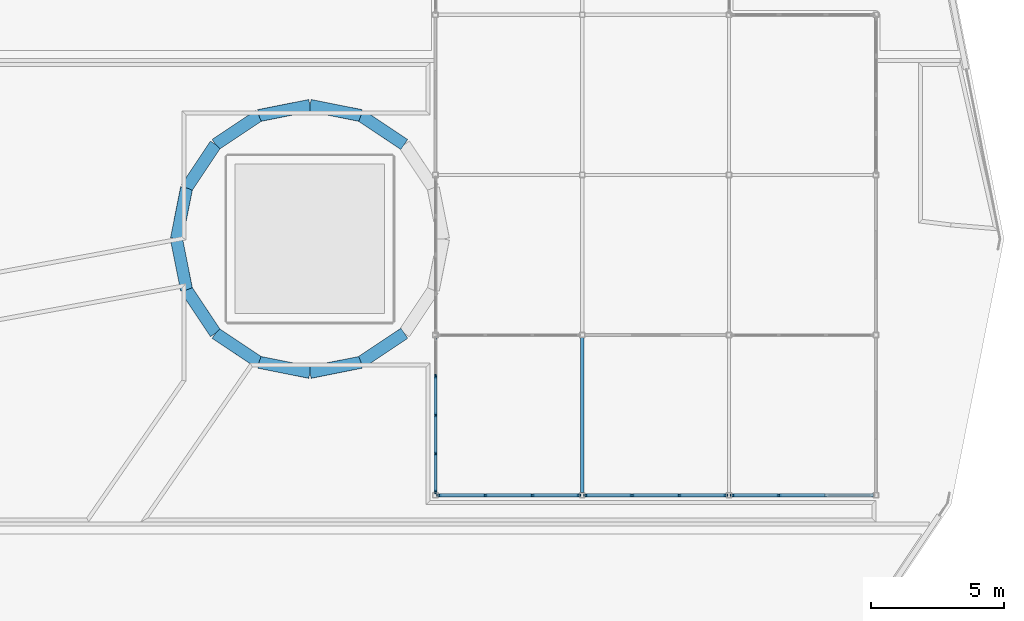
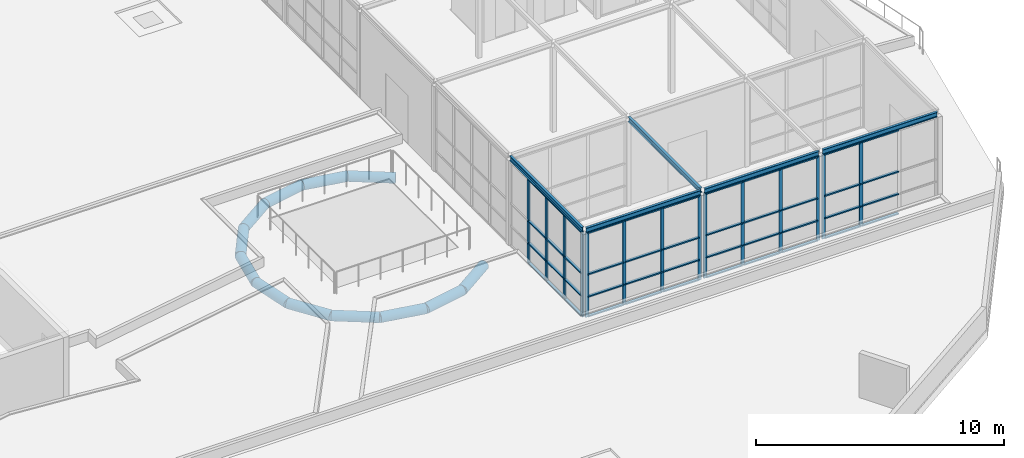
# One storey, part 11 of 40: 70 members, 5 beams, 4 elements without a shape of their own.
"""IFC4 building model written with IfcOpenShell, lengths in metres."""

from ifc_helpers import new_model, si_unit, direction, frame, origin, origin_2d, place, context, subcontext, project, spatial, rectangle, hollow_circle, i_section, extrude, material, material_profile, profile_set, type_object, element, aggregate, save


model = new_model("IFC4")

# Units and contexts
model_context = context("Model", 3, precision=1e-05, world=origin(), true_north=direction((0.0, 1.0)))
body_context = subcontext(model_context, "Body", "Model", "MODEL_VIEW")
ifc_project = project(units=[si_unit("LENGTHUNIT", "METRE"), si_unit("AREAUNIT", "SQUARE_METRE"), si_unit("VOLUMEUNIT", "CUBIC_METRE"), si_unit("PLANEANGLEUNIT", "RADIAN"), si_unit("MASSUNIT", "GRAM", prefix="KILO")], contexts=[model_context])

# Site, building, storey
site_placement = place(None, origin())
site = spatial("IfcSite", under=ifc_project, at=site_placement, CompositionType="ELEMENT")
building_placement = place(site_placement, origin())
building = spatial("IfcBuilding", under=site, at=building_placement, Name="Ceibo Conservatory and Research Tower", CompositionType="ELEMENT")
storey_placement = place(building_placement, frame((0.0, 0.0, 6.0)))
storey = spatial("IfcBuildingStorey", under=building, at=storey_placement, Name="L01", CompositionType="ELEMENT", Elevation=6.0)

# Members
ifc_material_1 = material(Name="Steel ASTM A500 Gr C", Category="steel")
ifc_material_profile_1 = material_profile(ifc_material_1, hollow_circle(Radius=0.228515625, WallThickness=0.01416015625, at=origin_2d()), Name="CHS 457.2x14.27")
ifc_profile_set_1 = profile_set([ifc_material_profile_1], Name="Steel ASTM A500 Gr C")
member_type_1 = type_object("IfcMemberType", Name="CHS 457.2x14.27", PredefinedType="NOTDEFINED", material=ifc_profile_set_1)
for number, where, z_axis, x_axis, name in (
    (1, (171.53564453125, 39.53564453125, -0.6796875), (-0.831530132446, 0.555479647543, 0.0), (-0.555479647543, -0.831530132446, 0.0), "Compression ring VC-CR03"),
    (2, (169.913330078125, 40.619384765625, -0.6796875), (-0.980782316333, 0.19510522281, 0.0), (-0.19510522281, -0.980782316333, 0.0), "Compression ring VC-CR04"),
    (3, (168.0, 41.0, -0.6796875), (-0.980782316333, -0.19510522281, 0.0), (0.19510522281, -0.980782316333, 0.0), "Compression ring VC-CR05"),
    (4, (166.086669921875, 40.619384765625, -0.6796875), (-0.831530132446, -0.555479647543, 0.0), (0.555479647543, -0.831530132446, 0.0), "Compression ring VC-CR06"),
    (5, (164.46435546875, 39.53564453125, -0.6796875), (-0.555479647543, -0.831530132446, 0.0), (0.831530132446, -0.555479647543, 0.0), "Compression ring VC-CR07"),
    (6, (163.380615234375, 37.913330078125, -0.6796875), (-0.19510522281, -0.980782316333, 0.0), (0.980782316333, -0.19510522281, 0.0), "Compression ring VC-CR08"),
    (7, (163.0, 36.0, -0.6796875), (0.19510522281, -0.980782316333, 0.0), (0.980782316333, 0.19510522281, 0.0), "Compression ring VC-CR09"),
    (8, (163.380615234375, 34.086669921875, -0.6796875), (0.555479647543, -0.831530132446, 0.0), (0.831530132446, 0.555479647543, 0.0), "Compression ring VC-CR10"),
    (9, (164.46435546875, 32.46435546875, -0.6796875), (0.831530132446, -0.555479647543, 0.0), (0.555479647543, 0.831530132446, 0.0), "Compression ring VC-CR11"),
    (10, (166.086669921875, 31.380615234375, -0.6796875), (0.980782316333, -0.19510522281, 0.0), (0.19510522281, 0.980782316333, 0.0), "Compression ring VC-CR12"),
    (11, (168.0, 31.0, -0.6796875), (0.980782316333, 0.19510522281, 0.0), (-0.19510522281, 0.980782316333, 0.0), "Compression ring VC-CR13"),
    (12, (169.913330078125, 31.380615234375, -0.6796875), (0.831530132446, 0.555479647543, 0.0), (-0.555479647543, 0.831530132446, 0.0), "Compression ring VC-CR14"),
):
    element("IfcMember", number, at=place(storey_placement, frame(where, z_axis=z_axis, x_axis=x_axis)), inside=storey, type_object=member_type_1, Name=name, PredefinedType="CHORD", context=body_context, shape_type="SweptSolid", body=[
        extrude(hollow_circle(Radius=0.228515625, WallThickness=0.01416015625, at=origin_2d()), origin(), (0.0, 0.0, 1.0), 1.950927734375),
    ])

# Beams
ifc_material_2 = material(Name="Steel S355J2", Category="steel")
ifc_material_profile_2 = material_profile(ifc_material_2, i_section(OverallWidth=0.1201171875, OverallDepth=0.239990234375, WebThickness=0.006103515625, FlangeThickness=0.009765625, at=origin_2d()), Name="IPE 240")
ifc_profile_set_2 = profile_set([ifc_material_profile_2], Name="Steel S355J2")
beam_type = type_object("IfcBeamType", Name="IPE 240 gallery roof beam", PredefinedType="BEAM", material=ifc_profile_set_2)
for number, where, z_axis, x_axis, name in (
    (13, (172.794921875, 26.39990234375, 4.280029296875), (1.0, 0.0, 0.0), (0.0, 1.0, 0.0), "Sky Gallery roof beam VC-SBh00"),
    (14, (178.294921875, 26.39990234375, 4.280029296875), (1.0, 0.0, 0.0), (0.0, 1.0, 0.0), "Sky Gallery roof beam VC-SBh10"),
    (15, (183.794921875, 26.39990234375, 4.280029296875), (1.0, 0.0, 0.0), (0.0, 1.0, 0.0), "Sky Gallery roof beam VC-SBh20"),
):
    element("IfcBeam", number, at=place(storey_placement, frame(where, z_axis=z_axis, x_axis=x_axis)), inside=storey, type_object=beam_type, Name=name, PredefinedType="BEAM", context=body_context, shape_type="SweptSolid", body=[
        extrude(i_section(OverallWidth=0.1201171875, OverallDepth=0.239990234375, WebThickness=0.006103515625, FlangeThickness=0.009765625, at=origin_2d()), origin(), (0.0, 0.0, 1.0), 5.31005859375),
    ])
for number, where, z_axis, x_axis, name in (
    (16, (172.699951171875, 26.4951171875, 4.280029296875), (0.0, 1.0, 0.0), (-1.0, 0.0, 0.0), "Sky Gallery roof beam VC-SBv00"),
    (17, (178.199951171875, 26.4951171875, 4.280029296875), (0.0, 1.0, 0.0), (-1.0, 0.0, 0.0), "Sky Gallery roof beam VC-SBv10"),
):
    element("IfcBeam", number, at=place(storey_placement, frame(where, z_axis=z_axis, x_axis=x_axis)), inside=storey, type_object=beam_type, Name=name, PredefinedType="BEAM", context=body_context, shape_type="SweptSolid", body=[
        extrude(i_section(OverallWidth=0.1201171875, OverallDepth=0.239990234375, WebThickness=0.006103515625, FlangeThickness=0.009765625, at=origin_2d()), origin(), (0.0, 0.0, 1.0), 5.809814453125),
    ])

# Curtain wall, members
ifc_material_3 = material(Name="Aluminium and glass", Category="aluminium")
curtain_wall_type = type_object("IfcCurtainWallType", Name="Sky gallery curtain wall", PredefinedType="NOTDEFINED", material=ifc_material_3)
curtain_wall_1_placement = place(storey_placement, origin())
curtain_wall_1 = element("IfcCurtainWall", 18, at=curtain_wall_1_placement, inside=storey, type_object=curtain_wall_type, Name="Sky Gallery curtain wall h00", PredefinedType="NOTDEFINED")
ifc_material_4 = material(Name="Aluminium", Category="aluminium")
ifc_material_profile_3 = material_profile(ifc_material_4, rectangle(XDim=0.06005859375, YDim=0.159912109375, at=origin_2d()), Name="AL 60x160")
ifc_profile_set_3 = profile_set([ifc_material_profile_3], Name="Aluminium")
member_type_2 = type_object("IfcMemberType", Name="Sky gallery mullion 60x160", PredefinedType="MULLION", material=ifc_profile_set_3)
member_1_placement = place(storey_placement, frame((172.830078125, 26.39990234375, 0.0), z_axis=(0.0, 0.0, 1.0), x_axis=(0.0, 1.0, 0.0)))
member_1 = element("IfcMember", 19, at=member_1_placement, type_object=member_type_2, Name="VC-SWh00 mullion 1", PredefinedType="MULLION", context=body_context, shape_type="SweptSolid", body=[
    extrude(rectangle(XDim=0.06005859375, YDim=0.159912109375, at=origin_2d()), origin(), (0.0, 0.0, 1.0), 4.159912109375),
])
member_2_placement = place(storey_placement, frame((174.566650390625, 26.39990234375, 0.0), z_axis=(0.0, 0.0, 1.0), x_axis=(0.0, 1.0, 0.0)))
member_2 = element("IfcMember", 20, at=member_2_placement, type_object=member_type_2, Name="VC-SWh00 mullion 2", PredefinedType="MULLION", context=body_context, shape_type="SweptSolid", body=[
    extrude(rectangle(XDim=0.06005859375, YDim=0.159912109375, at=origin_2d()), origin(), (0.0, 0.0, 1.0), 4.159912109375),
])
member_3_placement = place(storey_placement, frame((176.333251953125, 26.39990234375, 0.0), z_axis=(0.0, 0.0, 1.0), x_axis=(0.0, 1.0, 0.0)))
member_3 = element("IfcMember", 21, at=member_3_placement, type_object=member_type_2, Name="VC-SWh00 mullion 3", PredefinedType="MULLION", context=body_context, shape_type="SweptSolid", body=[
    extrude(rectangle(XDim=0.06005859375, YDim=0.159912109375, at=origin_2d()), origin(), (0.0, 0.0, 1.0), 4.159912109375),
])
member_4_placement = place(storey_placement, frame((178.070068359375, 26.39990234375, 0.0), z_axis=(0.0, 0.0, 1.0), x_axis=(0.0, 1.0, 0.0)))
member_4 = element("IfcMember", 22, at=member_4_placement, type_object=member_type_2, Name="VC-SWh00 mullion 4", PredefinedType="MULLION", context=body_context, shape_type="SweptSolid", body=[
    extrude(rectangle(XDim=0.06005859375, YDim=0.159912109375, at=origin_2d()), origin(), (0.0, 0.0, 1.0), 4.159912109375),
])

curtain_wall_2_placement = place(storey_placement, origin())
curtain_wall_2 = element("IfcCurtainWall", 23, at=curtain_wall_2_placement, inside=storey, type_object=curtain_wall_type, Name="Sky Gallery curtain wall h10", PredefinedType="NOTDEFINED")
member_5_placement = place(storey_placement, frame((178.330078125, 26.39990234375, 0.0), z_axis=(0.0, 0.0, 1.0), x_axis=(0.0, 1.0, 0.0)))
member_5 = element("IfcMember", 24, at=member_5_placement, type_object=member_type_2, Name="VC-SWh10 mullion 1", PredefinedType="MULLION", context=body_context, shape_type="SweptSolid", body=[
    extrude(rectangle(XDim=0.06005859375, YDim=0.159912109375, at=origin_2d()), origin(), (0.0, 0.0, 1.0), 4.159912109375),
])
member_6_placement = place(storey_placement, frame((180.066650390625, 26.39990234375, 0.0), z_axis=(0.0, 0.0, 1.0), x_axis=(0.0, 1.0, 0.0)))
member_6 = element("IfcMember", 25, at=member_6_placement, type_object=member_type_2, Name="VC-SWh10 mullion 2", PredefinedType="MULLION", context=body_context, shape_type="SweptSolid", body=[
    extrude(rectangle(XDim=0.06005859375, YDim=0.159912109375, at=origin_2d()), origin(), (0.0, 0.0, 1.0), 4.159912109375),
])
member_7_placement = place(storey_placement, frame((181.833251953125, 26.39990234375, 0.0), z_axis=(0.0, 0.0, 1.0), x_axis=(0.0, 1.0, 0.0)))
member_7 = element("IfcMember", 26, at=member_7_placement, type_object=member_type_2, Name="VC-SWh10 mullion 3", PredefinedType="MULLION", context=body_context, shape_type="SweptSolid", body=[
    extrude(rectangle(XDim=0.06005859375, YDim=0.159912109375, at=origin_2d()), origin(), (0.0, 0.0, 1.0), 4.159912109375),
])
member_8_placement = place(storey_placement, frame((183.570068359375, 26.39990234375, 0.0), z_axis=(0.0, 0.0, 1.0), x_axis=(0.0, 1.0, 0.0)))
member_8 = element("IfcMember", 27, at=member_8_placement, type_object=member_type_2, Name="VC-SWh10 mullion 4", PredefinedType="MULLION", context=body_context, shape_type="SweptSolid", body=[
    extrude(rectangle(XDim=0.06005859375, YDim=0.159912109375, at=origin_2d()), origin(), (0.0, 0.0, 1.0), 4.159912109375),
])

curtain_wall_3_placement = place(storey_placement, origin())
curtain_wall_3 = element("IfcCurtainWall", 28, at=curtain_wall_3_placement, inside=storey, type_object=curtain_wall_type, Name="Sky Gallery curtain wall h20", PredefinedType="NOTDEFINED")
member_9_placement = place(storey_placement, frame((183.830078125, 26.39990234375, 0.0), z_axis=(0.0, 0.0, 1.0), x_axis=(0.0, 1.0, 0.0)))
member_9 = element("IfcMember", 29, at=member_9_placement, type_object=member_type_2, Name="VC-SWh20 mullion 1", PredefinedType="MULLION", context=body_context, shape_type="SweptSolid", body=[
    extrude(rectangle(XDim=0.06005859375, YDim=0.159912109375, at=origin_2d()), origin(), (0.0, 0.0, 1.0), 4.159912109375),
])
member_10_placement = place(storey_placement, frame((185.566650390625, 26.39990234375, 0.0), z_axis=(0.0, 0.0, 1.0), x_axis=(0.0, 1.0, 0.0)))
member_10 = element("IfcMember", 30, at=member_10_placement, type_object=member_type_2, Name="VC-SWh20 mullion 2", PredefinedType="MULLION", context=body_context, shape_type="SweptSolid", body=[
    extrude(rectangle(XDim=0.06005859375, YDim=0.159912109375, at=origin_2d()), origin(), (0.0, 0.0, 1.0), 4.159912109375),
])

curtain_wall_4_placement = place(storey_placement, origin())
curtain_wall_4 = element("IfcCurtainWall", 31, at=curtain_wall_4_placement, inside=storey, type_object=curtain_wall_type, Name="Sky Gallery curtain wall v00", PredefinedType="NOTDEFINED")
member_11_placement = place(storey_placement, frame((172.699951171875, 26.530029296875, 0.0), z_axis=(0.0, 0.0, 1.0), x_axis=(-1.0, 0.0, 0.0)))
member_11 = element("IfcMember", 32, at=member_11_placement, type_object=member_type_2, Name="VC-SWv00 mullion 1", PredefinedType="MULLION", context=body_context, shape_type="SweptSolid", body=[
    extrude(rectangle(XDim=0.06005859375, YDim=0.159912109375, at=origin_2d()), origin(), (0.0, 0.0, 1.0), 4.159912109375),
])
member_12_placement = place(storey_placement, frame((172.699951171875, 27.949951171875, 0.0), z_axis=(0.0, 0.0, 1.0), x_axis=(-1.0, 0.0, 0.0)))
member_12 = element("IfcMember", 33, at=member_12_placement, type_object=member_type_2, Name="VC-SWv00 mullion 2", PredefinedType="MULLION", context=body_context, shape_type="SweptSolid", body=[
    extrude(rectangle(XDim=0.06005859375, YDim=0.159912109375, at=origin_2d()), origin(), (0.0, 0.0, 1.0), 4.159912109375),
])
member_13_placement = place(storey_placement, frame((172.699951171875, 29.39990234375, 0.0), z_axis=(0.0, 0.0, 1.0), x_axis=(-1.0, 0.0, 0.0)))
member_13 = element("IfcMember", 34, at=member_13_placement, type_object=member_type_2, Name="VC-SWv00 mullion 3", PredefinedType="MULLION", context=body_context, shape_type="SweptSolid", body=[
    extrude(rectangle(XDim=0.06005859375, YDim=0.159912109375, at=origin_2d()), origin(), (0.0, 0.0, 1.0), 4.159912109375),
])
member_14_placement = place(storey_placement, frame((172.699951171875, 30.85009765625, 0.0), z_axis=(0.0, 0.0, 1.0), x_axis=(-1.0, 0.0, 0.0)))
member_14 = element("IfcMember", 35, at=member_14_placement, type_object=member_type_2, Name="VC-SWv00 mullion 4", PredefinedType="MULLION", context=body_context, shape_type="SweptSolid", body=[
    extrude(rectangle(XDim=0.06005859375, YDim=0.159912109375, at=origin_2d()), origin(), (0.0, 0.0, 1.0), 4.159912109375),
])

# Member
ifc_material_profile_4 = material_profile(ifc_material_4, rectangle(XDim=0.1201171875, YDim=0.06005859375, at=origin_2d()), Name="AL 60x120")
ifc_profile_set_4 = profile_set([ifc_material_profile_4], Name="Aluminium")
member_type_3 = type_object("IfcMemberType", Name="Sky gallery transom 60x120", PredefinedType="USERDEFINED", material=ifc_profile_set_4)
member_15_placement = place(storey_placement, frame((172.860107421875, 26.39990234375, 0.030029296875), z_axis=(1.0, 0.0, 0.0), x_axis=(0.0, 1.0, 0.0)))
member_15 = element("IfcMember", 36, at=member_15_placement, type_object=member_type_3, Name="VC-SWh00 transom 1.1", ObjectType="TRANSOM", PredefinedType="USERDEFINED", context=body_context, shape_type="SweptSolid", body=[
    extrude(rectangle(XDim=0.1201171875, YDim=0.06005859375, at=origin_2d()), origin(), (0.0, 0.0, 1.0), 1.676513671875),
])

member_16_placement = place(storey_placement, frame((172.860107421875, 26.39990234375, 1.0), z_axis=(1.0, 0.0, 0.0), x_axis=(0.0, 1.0, 0.0)))
member_16 = element("IfcMember", 37, at=member_16_placement, type_object=member_type_3, Name="VC-SWh00 transom 1.2", ObjectType="TRANSOM", PredefinedType="USERDEFINED", context=body_context, shape_type="SweptSolid", body=[
    extrude(rectangle(XDim=0.1201171875, YDim=0.06005859375, at=origin_2d()), origin(), (0.0, 0.0, 1.0), 1.676513671875),
])

member_17_placement = place(storey_placement, frame((172.860107421875, 26.39990234375, 2.10009765625), z_axis=(1.0, 0.0, 0.0), x_axis=(0.0, 1.0, 0.0)))
member_17 = element("IfcMember", 38, at=member_17_placement, type_object=member_type_3, Name="VC-SWh00 transom 1.3", ObjectType="TRANSOM", PredefinedType="USERDEFINED", context=body_context, shape_type="SweptSolid", body=[
    extrude(rectangle(XDim=0.1201171875, YDim=0.06005859375, at=origin_2d()), origin(), (0.0, 0.0, 1.0), 1.676513671875),
])

member_18_placement = place(storey_placement, frame((172.860107421875, 26.39990234375, 4.1298828125), z_axis=(1.0, 0.0, 0.0), x_axis=(0.0, 1.0, 0.0)))
member_18 = element("IfcMember", 39, at=member_18_placement, type_object=member_type_3, Name="VC-SWh00 transom 1.4", ObjectType="TRANSOM", PredefinedType="USERDEFINED", context=body_context, shape_type="SweptSolid", body=[
    extrude(rectangle(XDim=0.1201171875, YDim=0.06005859375, at=origin_2d()), origin(), (0.0, 0.0, 1.0), 1.676513671875),
])

member_19_placement = place(storey_placement, frame((174.5966796875, 26.39990234375, 0.030029296875), z_axis=(1.0, 0.0, 0.0), x_axis=(0.0, 1.0, 0.0)))
member_19 = element("IfcMember", 40, at=member_19_placement, type_object=member_type_3, Name="VC-SWh00 transom 2.1", ObjectType="TRANSOM", PredefinedType="USERDEFINED", context=body_context, shape_type="SweptSolid", body=[
    extrude(rectangle(XDim=0.1201171875, YDim=0.06005859375, at=origin_2d()), origin(), (0.0, 0.0, 1.0), 1.70654296875),
])

member_20_placement = place(storey_placement, frame((174.5966796875, 26.39990234375, 1.0), z_axis=(1.0, 0.0, 0.0), x_axis=(0.0, 1.0, 0.0)))
member_20 = element("IfcMember", 41, at=member_20_placement, type_object=member_type_3, Name="VC-SWh00 transom 2.2", ObjectType="TRANSOM", PredefinedType="USERDEFINED", context=body_context, shape_type="SweptSolid", body=[
    extrude(rectangle(XDim=0.1201171875, YDim=0.06005859375, at=origin_2d()), origin(), (0.0, 0.0, 1.0), 1.70654296875),
])

member_21_placement = place(storey_placement, frame((174.5966796875, 26.39990234375, 2.10009765625), z_axis=(1.0, 0.0, 0.0), x_axis=(0.0, 1.0, 0.0)))
member_21 = element("IfcMember", 42, at=member_21_placement, type_object=member_type_3, Name="VC-SWh00 transom 2.3", ObjectType="TRANSOM", PredefinedType="USERDEFINED", context=body_context, shape_type="SweptSolid", body=[
    extrude(rectangle(XDim=0.1201171875, YDim=0.06005859375, at=origin_2d()), origin(), (0.0, 0.0, 1.0), 1.70654296875),
])

member_22_placement = place(storey_placement, frame((174.5966796875, 26.39990234375, 4.1298828125), z_axis=(1.0, 0.0, 0.0), x_axis=(0.0, 1.0, 0.0)))
member_22 = element("IfcMember", 43, at=member_22_placement, type_object=member_type_3, Name="VC-SWh00 transom 2.4", ObjectType="TRANSOM", PredefinedType="USERDEFINED", context=body_context, shape_type="SweptSolid", body=[
    extrude(rectangle(XDim=0.1201171875, YDim=0.06005859375, at=origin_2d()), origin(), (0.0, 0.0, 1.0), 1.70654296875),
])

member_23_placement = place(storey_placement, frame((176.36328125, 26.39990234375, 0.030029296875), z_axis=(1.0, 0.0, 0.0), x_axis=(0.0, 1.0, 0.0)))
member_23 = element("IfcMember", 44, at=member_23_placement, type_object=member_type_3, Name="VC-SWh00 transom 3.1", ObjectType="TRANSOM", PredefinedType="USERDEFINED", context=body_context, shape_type="SweptSolid", body=[
    extrude(rectangle(XDim=0.1201171875, YDim=0.06005859375, at=origin_2d()), origin(), (0.0, 0.0, 1.0), 1.6767578125),
])

member_24_placement = place(storey_placement, frame((176.36328125, 26.39990234375, 1.0), z_axis=(1.0, 0.0, 0.0), x_axis=(0.0, 1.0, 0.0)))
member_24 = element("IfcMember", 45, at=member_24_placement, type_object=member_type_3, Name="VC-SWh00 transom 3.2", ObjectType="TRANSOM", PredefinedType="USERDEFINED", context=body_context, shape_type="SweptSolid", body=[
    extrude(rectangle(XDim=0.1201171875, YDim=0.06005859375, at=origin_2d()), origin(), (0.0, 0.0, 1.0), 1.6767578125),
])

member_25_placement = place(storey_placement, frame((176.36328125, 26.39990234375, 2.10009765625), z_axis=(1.0, 0.0, 0.0), x_axis=(0.0, 1.0, 0.0)))
member_25 = element("IfcMember", 46, at=member_25_placement, type_object=member_type_3, Name="VC-SWh00 transom 3.3", ObjectType="TRANSOM", PredefinedType="USERDEFINED", context=body_context, shape_type="SweptSolid", body=[
    extrude(rectangle(XDim=0.1201171875, YDim=0.06005859375, at=origin_2d()), origin(), (0.0, 0.0, 1.0), 1.6767578125),
])

member_26_placement = place(storey_placement, frame((176.36328125, 26.39990234375, 4.1298828125), z_axis=(1.0, 0.0, 0.0), x_axis=(0.0, 1.0, 0.0)))
member_26 = element("IfcMember", 47, at=member_26_placement, type_object=member_type_3, Name="VC-SWh00 transom 3.4", ObjectType="TRANSOM", PredefinedType="USERDEFINED", context=body_context, shape_type="SweptSolid", body=[
    extrude(rectangle(XDim=0.1201171875, YDim=0.06005859375, at=origin_2d()), origin(), (0.0, 0.0, 1.0), 1.6767578125),
])

aggregate(curtain_wall_1, [member_1, member_2, member_3, member_4, member_15, member_16, member_17, member_18, member_19, member_20, member_21, member_22, member_23, member_24, member_25, member_26])

member_27_placement = place(storey_placement, frame((178.360107421875, 26.39990234375, 0.030029296875), z_axis=(1.0, 0.0, 0.0), x_axis=(0.0, 1.0, 0.0)))
member_27 = element("IfcMember", 48, at=member_27_placement, type_object=member_type_3, Name="VC-SWh10 transom 1.1", ObjectType="TRANSOM", PredefinedType="USERDEFINED", context=body_context, shape_type="SweptSolid", body=[
    extrude(rectangle(XDim=0.1201171875, YDim=0.06005859375, at=origin_2d()), origin(), (0.0, 0.0, 1.0), 1.676513671875),
])

member_28_placement = place(storey_placement, frame((178.360107421875, 26.39990234375, 1.0), z_axis=(1.0, 0.0, 0.0), x_axis=(0.0, 1.0, 0.0)))
member_28 = element("IfcMember", 49, at=member_28_placement, type_object=member_type_3, Name="VC-SWh10 transom 1.2", ObjectType="TRANSOM", PredefinedType="USERDEFINED", context=body_context, shape_type="SweptSolid", body=[
    extrude(rectangle(XDim=0.1201171875, YDim=0.06005859375, at=origin_2d()), origin(), (0.0, 0.0, 1.0), 1.676513671875),
])

member_29_placement = place(storey_placement, frame((178.360107421875, 26.39990234375, 2.10009765625), z_axis=(1.0, 0.0, 0.0), x_axis=(0.0, 1.0, 0.0)))
member_29 = element("IfcMember", 50, at=member_29_placement, type_object=member_type_3, Name="VC-SWh10 transom 1.3", ObjectType="TRANSOM", PredefinedType="USERDEFINED", context=body_context, shape_type="SweptSolid", body=[
    extrude(rectangle(XDim=0.1201171875, YDim=0.06005859375, at=origin_2d()), origin(), (0.0, 0.0, 1.0), 1.676513671875),
])

member_30_placement = place(storey_placement, frame((178.360107421875, 26.39990234375, 4.1298828125), z_axis=(1.0, 0.0, 0.0), x_axis=(0.0, 1.0, 0.0)))
member_30 = element("IfcMember", 51, at=member_30_placement, type_object=member_type_3, Name="VC-SWh10 transom 1.4", ObjectType="TRANSOM", PredefinedType="USERDEFINED", context=body_context, shape_type="SweptSolid", body=[
    extrude(rectangle(XDim=0.1201171875, YDim=0.06005859375, at=origin_2d()), origin(), (0.0, 0.0, 1.0), 1.676513671875),
])

member_31_placement = place(storey_placement, frame((180.0966796875, 26.39990234375, 0.030029296875), z_axis=(1.0, 0.0, 0.0), x_axis=(0.0, 1.0, 0.0)))
member_31 = element("IfcMember", 52, at=member_31_placement, type_object=member_type_3, Name="VC-SWh10 transom 2.1", ObjectType="TRANSOM", PredefinedType="USERDEFINED", context=body_context, shape_type="SweptSolid", body=[
    extrude(rectangle(XDim=0.1201171875, YDim=0.06005859375, at=origin_2d()), origin(), (0.0, 0.0, 1.0), 1.70654296875),
])

member_32_placement = place(storey_placement, frame((180.0966796875, 26.39990234375, 1.0), z_axis=(1.0, 0.0, 0.0), x_axis=(0.0, 1.0, 0.0)))
member_32 = element("IfcMember", 53, at=member_32_placement, type_object=member_type_3, Name="VC-SWh10 transom 2.2", ObjectType="TRANSOM", PredefinedType="USERDEFINED", context=body_context, shape_type="SweptSolid", body=[
    extrude(rectangle(XDim=0.1201171875, YDim=0.06005859375, at=origin_2d()), origin(), (0.0, 0.0, 1.0), 1.70654296875),
])

member_33_placement = place(storey_placement, frame((180.0966796875, 26.39990234375, 2.10009765625), z_axis=(1.0, 0.0, 0.0), x_axis=(0.0, 1.0, 0.0)))
member_33 = element("IfcMember", 54, at=member_33_placement, type_object=member_type_3, Name="VC-SWh10 transom 2.3", ObjectType="TRANSOM", PredefinedType="USERDEFINED", context=body_context, shape_type="SweptSolid", body=[
    extrude(rectangle(XDim=0.1201171875, YDim=0.06005859375, at=origin_2d()), origin(), (0.0, 0.0, 1.0), 1.70654296875),
])

member_34_placement = place(storey_placement, frame((180.0966796875, 26.39990234375, 4.1298828125), z_axis=(1.0, 0.0, 0.0), x_axis=(0.0, 1.0, 0.0)))
member_34 = element("IfcMember", 55, at=member_34_placement, type_object=member_type_3, Name="VC-SWh10 transom 2.4", ObjectType="TRANSOM", PredefinedType="USERDEFINED", context=body_context, shape_type="SweptSolid", body=[
    extrude(rectangle(XDim=0.1201171875, YDim=0.06005859375, at=origin_2d()), origin(), (0.0, 0.0, 1.0), 1.70654296875),
])

member_35_placement = place(storey_placement, frame((181.86328125, 26.39990234375, 0.030029296875), z_axis=(1.0, 0.0, 0.0), x_axis=(0.0, 1.0, 0.0)))
member_35 = element("IfcMember", 56, at=member_35_placement, type_object=member_type_3, Name="VC-SWh10 transom 3.1", ObjectType="TRANSOM", PredefinedType="USERDEFINED", context=body_context, shape_type="SweptSolid", body=[
    extrude(rectangle(XDim=0.1201171875, YDim=0.06005859375, at=origin_2d()), origin(), (0.0, 0.0, 1.0), 1.6767578125),
])

member_36_placement = place(storey_placement, frame((181.86328125, 26.39990234375, 1.0), z_axis=(1.0, 0.0, 0.0), x_axis=(0.0, 1.0, 0.0)))
member_36 = element("IfcMember", 57, at=member_36_placement, type_object=member_type_3, Name="VC-SWh10 transom 3.2", ObjectType="TRANSOM", PredefinedType="USERDEFINED", context=body_context, shape_type="SweptSolid", body=[
    extrude(rectangle(XDim=0.1201171875, YDim=0.06005859375, at=origin_2d()), origin(), (0.0, 0.0, 1.0), 1.6767578125),
])

member_37_placement = place(storey_placement, frame((181.86328125, 26.39990234375, 2.10009765625), z_axis=(1.0, 0.0, 0.0), x_axis=(0.0, 1.0, 0.0)))
member_37 = element("IfcMember", 58, at=member_37_placement, type_object=member_type_3, Name="VC-SWh10 transom 3.3", ObjectType="TRANSOM", PredefinedType="USERDEFINED", context=body_context, shape_type="SweptSolid", body=[
    extrude(rectangle(XDim=0.1201171875, YDim=0.06005859375, at=origin_2d()), origin(), (0.0, 0.0, 1.0), 1.6767578125),
])

member_38_placement = place(storey_placement, frame((181.86328125, 26.39990234375, 4.1298828125), z_axis=(1.0, 0.0, 0.0), x_axis=(0.0, 1.0, 0.0)))
member_38 = element("IfcMember", 59, at=member_38_placement, type_object=member_type_3, Name="VC-SWh10 transom 3.4", ObjectType="TRANSOM", PredefinedType="USERDEFINED", context=body_context, shape_type="SweptSolid", body=[
    extrude(rectangle(XDim=0.1201171875, YDim=0.06005859375, at=origin_2d()), origin(), (0.0, 0.0, 1.0), 1.6767578125),
])

aggregate(curtain_wall_2, [member_5, member_6, member_7, member_8, member_27, member_28, member_29, member_30, member_31, member_32, member_33, member_34, member_35, member_36, member_37, member_38])

member_39_placement = place(storey_placement, frame((183.860107421875, 26.39990234375, 0.030029296875), z_axis=(1.0, 0.0, 0.0), x_axis=(0.0, 1.0, 0.0)))
member_39 = element("IfcMember", 60, at=member_39_placement, type_object=member_type_3, Name="VC-SWh20 transom 1.1", ObjectType="TRANSOM", PredefinedType="USERDEFINED", context=body_context, shape_type="SweptSolid", body=[
    extrude(rectangle(XDim=0.1201171875, YDim=0.06005859375, at=origin_2d()), origin(), (0.0, 0.0, 1.0), 1.676513671875),
])

member_40_placement = place(storey_placement, frame((183.860107421875, 26.39990234375, 1.0), z_axis=(1.0, 0.0, 0.0), x_axis=(0.0, 1.0, 0.0)))
member_40 = element("IfcMember", 61, at=member_40_placement, type_object=member_type_3, Name="VC-SWh20 transom 1.2", ObjectType="TRANSOM", PredefinedType="USERDEFINED", context=body_context, shape_type="SweptSolid", body=[
    extrude(rectangle(XDim=0.1201171875, YDim=0.06005859375, at=origin_2d()), origin(), (0.0, 0.0, 1.0), 1.676513671875),
])

member_41_placement = place(storey_placement, frame((183.860107421875, 26.39990234375, 2.10009765625), z_axis=(1.0, 0.0, 0.0), x_axis=(0.0, 1.0, 0.0)))
member_41 = element("IfcMember", 62, at=member_41_placement, type_object=member_type_3, Name="VC-SWh20 transom 1.3", ObjectType="TRANSOM", PredefinedType="USERDEFINED", context=body_context, shape_type="SweptSolid", body=[
    extrude(rectangle(XDim=0.1201171875, YDim=0.06005859375, at=origin_2d()), origin(), (0.0, 0.0, 1.0), 1.676513671875),
])

member_42_placement = place(storey_placement, frame((183.860107421875, 26.39990234375, 4.1298828125), z_axis=(1.0, 0.0, 0.0), x_axis=(0.0, 1.0, 0.0)))
member_42 = element("IfcMember", 63, at=member_42_placement, type_object=member_type_3, Name="VC-SWh20 transom 1.4", ObjectType="TRANSOM", PredefinedType="USERDEFINED", context=body_context, shape_type="SweptSolid", body=[
    extrude(rectangle(XDim=0.1201171875, YDim=0.06005859375, at=origin_2d()), origin(), (0.0, 0.0, 1.0), 1.676513671875),
])

member_43_placement = place(storey_placement, frame((185.5966796875, 26.39990234375, 0.030029296875), z_axis=(1.0, 0.0, 0.0), x_axis=(0.0, 1.0, 0.0)))
member_43 = element("IfcMember", 64, at=member_43_placement, type_object=member_type_3, Name="VC-SWh20 transom 2.1", ObjectType="TRANSOM", PredefinedType="USERDEFINED", context=body_context, shape_type="SweptSolid", body=[
    extrude(rectangle(XDim=0.1201171875, YDim=0.06005859375, at=origin_2d()), origin(), (0.0, 0.0, 1.0), 1.70654296875),
])

member_44_placement = place(storey_placement, frame((185.5966796875, 26.39990234375, 1.0), z_axis=(1.0, 0.0, 0.0), x_axis=(0.0, 1.0, 0.0)))
member_44 = element("IfcMember", 65, at=member_44_placement, type_object=member_type_3, Name="VC-SWh20 transom 2.2", ObjectType="TRANSOM", PredefinedType="USERDEFINED", context=body_context, shape_type="SweptSolid", body=[
    extrude(rectangle(XDim=0.1201171875, YDim=0.06005859375, at=origin_2d()), origin(), (0.0, 0.0, 1.0), 1.70654296875),
])

member_45_placement = place(storey_placement, frame((185.5966796875, 26.39990234375, 2.10009765625), z_axis=(1.0, 0.0, 0.0), x_axis=(0.0, 1.0, 0.0)))
member_45 = element("IfcMember", 66, at=member_45_placement, type_object=member_type_3, Name="VC-SWh20 transom 2.3", ObjectType="TRANSOM", PredefinedType="USERDEFINED", context=body_context, shape_type="SweptSolid", body=[
    extrude(rectangle(XDim=0.1201171875, YDim=0.06005859375, at=origin_2d()), origin(), (0.0, 0.0, 1.0), 1.70654296875),
])

member_46_placement = place(storey_placement, frame((185.5966796875, 26.39990234375, 4.1298828125), z_axis=(1.0, 0.0, 0.0), x_axis=(0.0, 1.0, 0.0)))
member_46 = element("IfcMember", 67, at=member_46_placement, type_object=member_type_3, Name="VC-SWh20 transom 2.4", ObjectType="TRANSOM", PredefinedType="USERDEFINED", context=body_context, shape_type="SweptSolid", body=[
    extrude(rectangle(XDim=0.1201171875, YDim=0.06005859375, at=origin_2d()), origin(), (0.0, 0.0, 1.0), 1.70654296875),
])

aggregate(curtain_wall_3, [member_9, member_10, member_39, member_40, member_41, member_42, member_43, member_44, member_45, member_46])

member_47_placement = place(storey_placement, frame((172.699951171875, 26.56005859375, 0.030029296875), z_axis=(0.0, 1.0, 0.0), x_axis=(-1.0, 0.0, 0.0)))
member_47 = element("IfcMember", 68, at=member_47_placement, type_object=member_type_3, Name="VC-SWv00 transom 1.1", ObjectType="TRANSOM", PredefinedType="USERDEFINED", context=body_context, shape_type="SweptSolid", body=[
    extrude(rectangle(XDim=0.1201171875, YDim=0.06005859375, at=origin_2d()), origin(), (0.0, 0.0, 1.0), 1.35986328125),
])

member_48_placement = place(storey_placement, frame((172.699951171875, 26.56005859375, 1.0), z_axis=(0.0, 1.0, 0.0), x_axis=(-1.0, 0.0, 0.0)))
member_48 = element("IfcMember", 69, at=member_48_placement, type_object=member_type_3, Name="VC-SWv00 transom 1.2", ObjectType="TRANSOM", PredefinedType="USERDEFINED", context=body_context, shape_type="SweptSolid", body=[
    extrude(rectangle(XDim=0.1201171875, YDim=0.06005859375, at=origin_2d()), origin(), (0.0, 0.0, 1.0), 1.35986328125),
])

member_49_placement = place(storey_placement, frame((172.699951171875, 26.56005859375, 2.10009765625), z_axis=(0.0, 1.0, 0.0), x_axis=(-1.0, 0.0, 0.0)))
member_49 = element("IfcMember", 70, at=member_49_placement, type_object=member_type_3, Name="VC-SWv00 transom 1.3", ObjectType="TRANSOM", PredefinedType="USERDEFINED", context=body_context, shape_type="SweptSolid", body=[
    extrude(rectangle(XDim=0.1201171875, YDim=0.06005859375, at=origin_2d()), origin(), (0.0, 0.0, 1.0), 1.35986328125),
])

member_50_placement = place(storey_placement, frame((172.699951171875, 26.56005859375, 4.1298828125), z_axis=(0.0, 1.0, 0.0), x_axis=(-1.0, 0.0, 0.0)))
member_50 = element("IfcMember", 71, at=member_50_placement, type_object=member_type_3, Name="VC-SWv00 transom 1.4", ObjectType="TRANSOM", PredefinedType="USERDEFINED", context=body_context, shape_type="SweptSolid", body=[
    extrude(rectangle(XDim=0.1201171875, YDim=0.06005859375, at=origin_2d()), origin(), (0.0, 0.0, 1.0), 1.35986328125),
])

member_51_placement = place(storey_placement, frame((172.699951171875, 27.97998046875, 0.030029296875), z_axis=(0.0, 1.0, 0.0), x_axis=(-1.0, 0.0, 0.0)))
member_51 = element("IfcMember", 72, at=member_51_placement, type_object=member_type_3, Name="VC-SWv00 transom 2.1", ObjectType="TRANSOM", PredefinedType="USERDEFINED", context=body_context, shape_type="SweptSolid", body=[
    extrude(rectangle(XDim=0.1201171875, YDim=0.06005859375, at=origin_2d()), origin(), (0.0, 0.0, 1.0), 1.39013671875),
])

member_52_placement = place(storey_placement, frame((172.699951171875, 27.97998046875, 1.0), z_axis=(0.0, 1.0, 0.0), x_axis=(-1.0, 0.0, 0.0)))
member_52 = element("IfcMember", 73, at=member_52_placement, type_object=member_type_3, Name="VC-SWv00 transom 2.2", ObjectType="TRANSOM", PredefinedType="USERDEFINED", context=body_context, shape_type="SweptSolid", body=[
    extrude(rectangle(XDim=0.1201171875, YDim=0.06005859375, at=origin_2d()), origin(), (0.0, 0.0, 1.0), 1.39013671875),
])

member_53_placement = place(storey_placement, frame((172.699951171875, 27.97998046875, 2.10009765625), z_axis=(0.0, 1.0, 0.0), x_axis=(-1.0, 0.0, 0.0)))
member_53 = element("IfcMember", 74, at=member_53_placement, type_object=member_type_3, Name="VC-SWv00 transom 2.3", ObjectType="TRANSOM", PredefinedType="USERDEFINED", context=body_context, shape_type="SweptSolid", body=[
    extrude(rectangle(XDim=0.1201171875, YDim=0.06005859375, at=origin_2d()), origin(), (0.0, 0.0, 1.0), 1.39013671875),
])

member_54_placement = place(storey_placement, frame((172.699951171875, 27.97998046875, 4.1298828125), z_axis=(0.0, 1.0, 0.0), x_axis=(-1.0, 0.0, 0.0)))
member_54 = element("IfcMember", 75, at=member_54_placement, type_object=member_type_3, Name="VC-SWv00 transom 2.4", ObjectType="TRANSOM", PredefinedType="USERDEFINED", context=body_context, shape_type="SweptSolid", body=[
    extrude(rectangle(XDim=0.1201171875, YDim=0.06005859375, at=origin_2d()), origin(), (0.0, 0.0, 1.0), 1.39013671875),
])

member_55_placement = place(storey_placement, frame((172.699951171875, 29.429931640625, 0.030029296875), z_axis=(0.0, 1.0, 0.0), x_axis=(-1.0, 0.0, 0.0)))
member_55 = element("IfcMember", 76, at=member_55_placement, type_object=member_type_3, Name="VC-SWv00 transom 3.1", ObjectType="TRANSOM", PredefinedType="USERDEFINED", context=body_context, shape_type="SweptSolid", body=[
    extrude(rectangle(XDim=0.1201171875, YDim=0.06005859375, at=origin_2d()), origin(), (0.0, 0.0, 1.0), 1.39013671875),
])

member_56_placement = place(storey_placement, frame((172.699951171875, 29.429931640625, 1.0), z_axis=(0.0, 1.0, 0.0), x_axis=(-1.0, 0.0, 0.0)))
member_56 = element("IfcMember", 77, at=member_56_placement, type_object=member_type_3, Name="VC-SWv00 transom 3.2", ObjectType="TRANSOM", PredefinedType="USERDEFINED", context=body_context, shape_type="SweptSolid", body=[
    extrude(rectangle(XDim=0.1201171875, YDim=0.06005859375, at=origin_2d()), origin(), (0.0, 0.0, 1.0), 1.39013671875),
])

member_57_placement = place(storey_placement, frame((172.699951171875, 29.429931640625, 2.10009765625), z_axis=(0.0, 1.0, 0.0), x_axis=(-1.0, 0.0, 0.0)))
member_57 = element("IfcMember", 78, at=member_57_placement, type_object=member_type_3, Name="VC-SWv00 transom 3.3", ObjectType="TRANSOM", PredefinedType="USERDEFINED", context=body_context, shape_type="SweptSolid", body=[
    extrude(rectangle(XDim=0.1201171875, YDim=0.06005859375, at=origin_2d()), origin(), (0.0, 0.0, 1.0), 1.39013671875),
])

member_58_placement = place(storey_placement, frame((172.699951171875, 29.429931640625, 4.1298828125), z_axis=(0.0, 1.0, 0.0), x_axis=(-1.0, 0.0, 0.0)))
member_58 = element("IfcMember", 79, at=member_58_placement, type_object=member_type_3, Name="VC-SWv00 transom 3.4", ObjectType="TRANSOM", PredefinedType="USERDEFINED", context=body_context, shape_type="SweptSolid", body=[
    extrude(rectangle(XDim=0.1201171875, YDim=0.06005859375, at=origin_2d()), origin(), (0.0, 0.0, 1.0), 1.39013671875),
])

aggregate(curtain_wall_4, [member_11, member_12, member_13, member_14, member_47, member_48, member_49, member_50, member_51, member_52, member_53, member_54, member_55, member_56, member_57, member_58])

save(model, "model.ifc")
